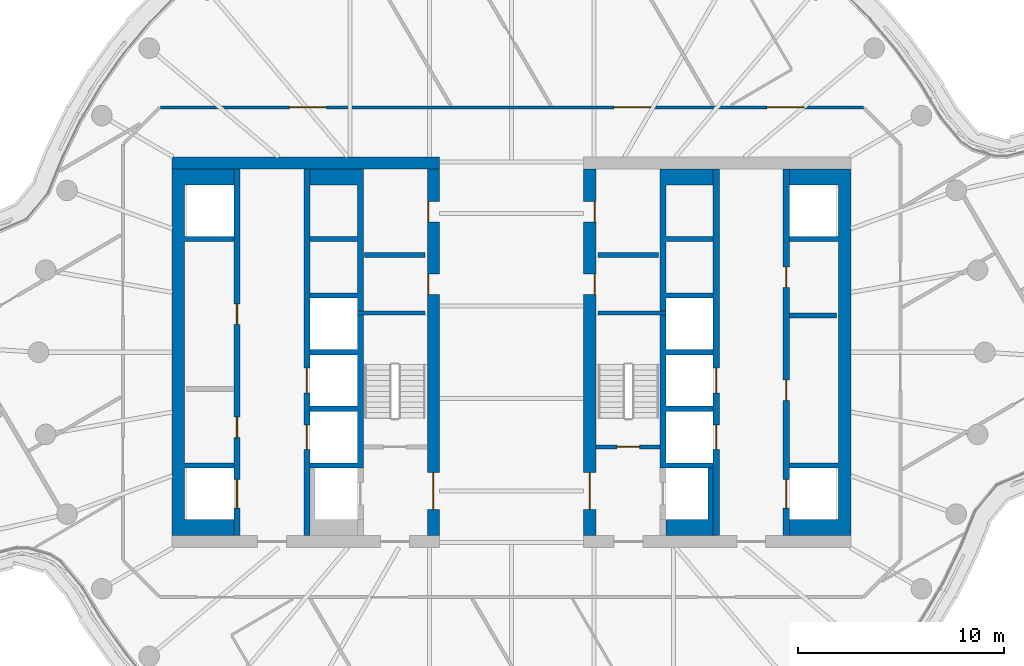
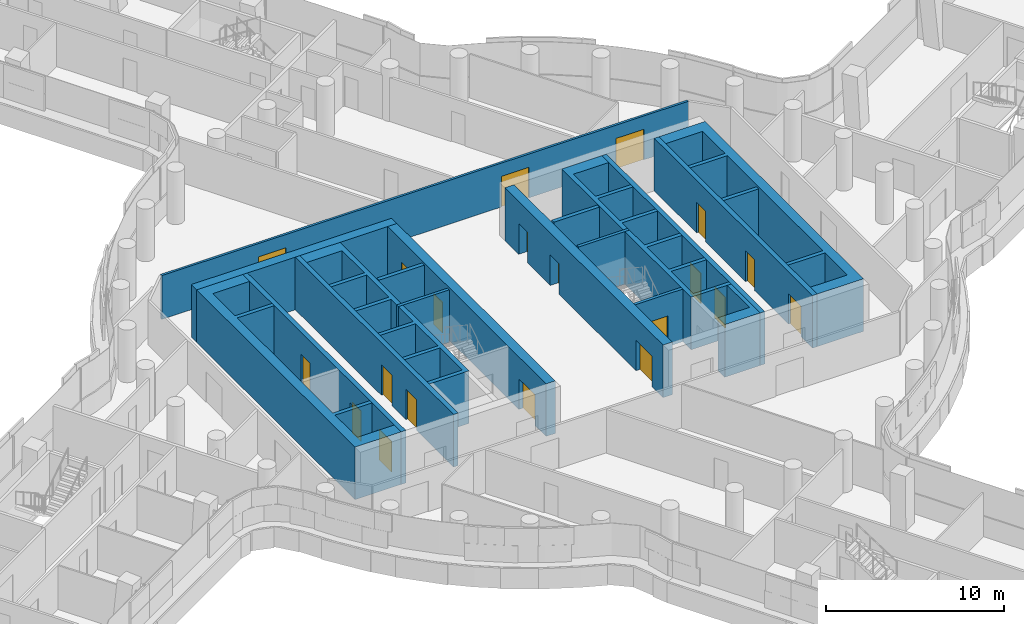
# One storey, part 23 of 35: 20 doors, 19 walls, 20 openings.
"""IFC4 building model written with IfcOpenShell, lengths in metres."""

from ifc_helpers import new_model, si_unit, direction, frame, frame_2d, origin, place, context, subcontext, project, spatial, polyline, rectangle, outline, extrude, material, layer, layer_set, type_object, element, fill, save


model = new_model("IFC4")

# Units and contexts
model_context = context("Model", 3, precision=1e-05, world=origin(), true_north=direction((0.0, 1.0)))
body_context = subcontext(model_context, "Body", "Model", "MODEL_VIEW")
ifc_project = project(units=[si_unit("LENGTHUNIT", "METRE"), si_unit("AREAUNIT", "SQUARE_METRE"), si_unit("VOLUMEUNIT", "CUBIC_METRE"), si_unit("PLANEANGLEUNIT", "RADIAN"), si_unit("MASSUNIT", "GRAM", prefix="KILO")], contexts=[model_context])

# Site, building, storey
site_placement = place(None, origin())
site = spatial("IfcSite", under=ifc_project, at=site_placement, CompositionType="ELEMENT")
building_placement = place(site_placement, origin())
building = spatial("IfcBuilding", under=site, at=building_placement, Name="Tamarind Cross Interchange Tower", CompositionType="ELEMENT")
storey_placement = place(building_placement, frame((0.0, 0.0, 144.25)))
storey = spatial("IfcBuildingStorey", under=building, at=storey_placement, Name="L35", CompositionType="ELEMENT", Elevation=144.25)

# Walls
ifc_material_1 = material(Name="Concrete C60", Category="concrete")
ifc_layer_1 = layer(ifc_material_1, 0.60009765625)
ifc_layer_set_1 = layer_set([ifc_layer_1], Name="Concrete C60")
wall_type_1 = type_object("IfcWallType", Name="Core wall 600 mm Concrete C60", PredefinedType="SHEAR", material=ifc_layer_set_1)
wall_1_placement = place(storey_placement, origin())
element("IfcWall", 1, at=wall_1_placement, inside=storey, type_object=wall_type_1, Name="Core wall CWL-L35-W-A", PredefinedType="SHEAR", context=body_context, shape_type="SweptSolid", body=[
    extrude(outline(polyline([(-13.5, -8.125), (-15.89990234375, -8.125), (-15.89990234375, -5.625), (-13.5, -5.625), (-13.5, -5.375), (-15.89990234375, -5.375), (-15.89990234375, 5.375), (-13.5, 5.375), (-13.5, 5.625), (-15.89990234375, 5.625), (-15.89990234375, 8.125), (-13.5, 8.125), (-13.5, 8.89990234375), (-15.89990234375, 8.89990234375), (-16.5, 8.89990234375), (-16.5, -8.89990234375), (-15.89990234375, -8.89990234375), (-13.5, -8.89990234375), (-13.5, -8.125)])), origin(), (0.0, 0.0, 1.0), 3.610107421875),
])
wall_2_placement = place(storey_placement, frame((-16.5, 9.199951171875, 0.0), z_axis=(0.0, 0.0, 1.0), x_axis=(1.0, 0.0, 0.0)))
element("IfcWall", 2, at=wall_2_placement, inside=storey, type_object=wall_type_1, Name="Core wall CWL-L35-W-NE", PredefinedType="SHEAR", context=body_context, shape_type="SweptSolid", body=[
    extrude(rectangle(XDim=13.0, YDim=0.60009765625, at=frame_2d((6.5, 0.0))), origin(), (0.0, 0.0, 1.0), 3.610107421875),
])

# Wall, openings, doors
wall_3_placement = place(storey_placement, frame((-3.800048828125, -8.89990234375, 0.0), z_axis=(0.0, 0.0, 1.0), x_axis=(0.0, 1.0, 0.0)))
wall_3 = element("IfcWall", 3, at=wall_3_placement, inside=storey, type_object=wall_type_1, Name="Core wall CWL-L35-W-IN", PredefinedType="SHEAR", context=body_context, shape_type="SweptSolid", body=[
    extrude(rectangle(XDim=17.7998046875, YDim=0.60009765625, at=frame_2d((8.89990234375, 0.0))), origin(), (0.0, 0.0, 1.0), 3.610107421875),
])
opening_1_placement = place(wall_3_placement, frame((1.25, 0.0, 0.0)))
opening_1 = element("IfcOpeningElement", 4, at=opening_1_placement, cuts=wall_3, Name="Opening DCW4", PredefinedType="OPENING", context=body_context, shape_type="SweptSolid", body=[
    extrude(rectangle(XDim=1.800048828125, YDim=2.10009765625, at=frame_2d((0.89990234375, 1.050048828125))), frame((0.0, 0.31005859375, 0.0), z_axis=(0.0, -1.0, 0.0), x_axis=(1.0, 0.0, 0.0)), (0.0, 0.0, 1.0), 0.6201171875),
])
opening_2_placement = place(wall_3_placement, frame((11.697509765625, 0.0, 0.0)))
opening_2 = element("IfcOpeningElement", 5, at=opening_2_placement, cuts=wall_3, Name="Opening DCW5", PredefinedType="OPENING", context=body_context, shape_type="SweptSolid", body=[
    extrude(rectangle(XDim=1.0, YDim=2.10009765625, at=frame_2d((0.5, 1.050048828125))), frame((0.0, 0.31005859375, 0.0), z_axis=(0.0, -1.0, 0.0), x_axis=(1.0, 0.0, 0.0)), (0.0, 0.0, 1.0), 0.6201171875),
])
opening_3_placement = place(wall_3_placement, frame((15.222412109375, 0.0, 0.0)))
opening_3 = element("IfcOpeningElement", 6, at=opening_3_placement, cuts=wall_3, Name="Opening DCW5", PredefinedType="OPENING", context=body_context, shape_type="SweptSolid", body=[
    extrude(rectangle(XDim=1.0, YDim=2.10009765625, at=frame_2d((0.5, 1.050048828125))), frame((0.0, 0.31005859375, 0.0), z_axis=(0.0, -1.0, 0.0), x_axis=(1.0, 0.0, 0.0)), (0.0, 0.0, 1.0), 0.6201171875),
])
ifc_material_2 = material(Name="Steel, fire-resisting", Category="steel")
door_type_1 = type_object("IfcDoorType", Name="Core fire door 1000 x 2100 FD90", OperationType="SINGLE_SWING_LEFT", PredefinedType="DOOR", material=ifc_material_2)
door_1_placement = place(opening_2_placement, origin())
door_1 = element("IfcDoor", 7, at=door_1_placement, inside=storey, type_object=door_type_1, Name="L35 comms room door", OperationType="SINGLE_SWING_LEFT", OverallHeight=2.10009765625, OverallWidth=1.0, PredefinedType="DOOR", context=body_context, shape_type="SweptSolid", body=[
    extrude(rectangle(XDim=1.0, YDim=2.10009765625, at=frame_2d((0.5, 1.050048828125))), frame((0.0, 0.27490234375, 0.0), z_axis=(0.0, -1.0, 0.0), x_axis=(1.0, 0.0, 0.0)), (0.0, 0.0, 1.0), 0.050048828125),
])
fill(opening_2, door_1)
door_2_placement = place(opening_3_placement, origin())
door_2 = element("IfcDoor", 8, at=door_2_placement, inside=storey, type_object=door_type_1, Name="L35 cleaner's store door", OperationType="SINGLE_SWING_LEFT", OverallHeight=2.10009765625, OverallWidth=1.0, PredefinedType="DOOR", context=body_context, shape_type="SweptSolid", body=[
    extrude(rectangle(XDim=1.0, YDim=2.10009765625, at=frame_2d((0.5, 1.050048828125))), frame((0.0, 0.27490234375, 0.0), z_axis=(0.0, -1.0, 0.0), x_axis=(1.0, 0.0, 0.0)), (0.0, 0.0, 1.0), 0.050048828125),
])
fill(opening_3, door_2)
door_type_2 = type_object("IfcDoorType", Name="Core fire door 1800 x 2100 FD90", OperationType="SINGLE_SWING_LEFT", PredefinedType="DOOR", material=ifc_material_2)
door_3_placement = place(opening_1_placement, origin())
door_3 = element("IfcDoor", 9, at=door_3_placement, inside=storey, type_object=door_type_2, Name="L35 firefighting lobby door", OperationType="SINGLE_SWING_LEFT", OverallHeight=2.10009765625, OverallWidth=1.800048828125, PredefinedType="DOOR", context=body_context, shape_type="SweptSolid", body=[
    extrude(rectangle(XDim=1.800048828125, YDim=2.10009765625, at=frame_2d((0.89990234375, 1.050048828125))), frame((0.0, 0.02490234375, 0.0), z_axis=(0.0, -1.0, 0.0), x_axis=(1.0, 0.0, 0.0)), (0.0, 0.0, 1.0), 0.050048828125),
])
fill(opening_1, door_3)

# Wall
wall_4_placement = place(storey_placement, origin())
element("IfcWall", 10, at=wall_4_placement, inside=storey, type_object=wall_type_1, Name="Core wall CWL-L35-E-A", PredefinedType="SHEAR", context=body_context, shape_type="SweptSolid", body=[
    extrude(outline(polyline([(13.5, -8.125), (13.5, -8.89990234375), (15.89990234375, -8.89990234375), (16.5, -8.89990234375), (16.5, 8.89990234375), (15.89990234375, 8.89990234375), (13.5, 8.89990234375), (13.5, 8.125), (15.89990234375, 8.125), (15.89990234375, 5.625), (13.5, 5.625), (13.5, 5.375), (15.89990234375, 5.375), (15.89990234375, -5.375), (13.5, -5.375), (13.5, -5.625), (15.89990234375, -5.625), (15.89990234375, -8.125), (13.5, -8.125)])), origin(), (0.0, 0.0, 1.0), 3.610107421875),
])

# Wall, openings, doors
wall_5_placement = place(storey_placement, frame((3.800048828125, -8.89990234375, 0.0), z_axis=(0.0, 0.0, 1.0), x_axis=(0.0, 1.0, 0.0)))
wall_5 = element("IfcWall", 11, at=wall_5_placement, inside=storey, type_object=wall_type_1, Name="Core wall CWL-L35-E-IN", PredefinedType="SHEAR", context=body_context, shape_type="SweptSolid", body=[
    extrude(rectangle(XDim=17.7998046875, YDim=0.60009765625, at=frame_2d((8.89990234375, 0.0))), origin(), (0.0, 0.0, 1.0), 3.610107421875),
])
opening_4_placement = place(wall_5_placement, frame((1.25, 0.0, 0.0)))
opening_4 = element("IfcOpeningElement", 12, at=opening_4_placement, cuts=wall_5, Name="Opening DCE4", PredefinedType="OPENING", context=body_context, shape_type="SweptSolid", body=[
    extrude(rectangle(XDim=1.800048828125, YDim=2.10009765625, at=frame_2d((0.89990234375, 1.050048828125))), frame((0.0, 0.31005859375, 0.0), z_axis=(0.0, -1.0, 0.0), x_axis=(1.0, 0.0, 0.0)), (0.0, 0.0, 1.0), 0.6201171875),
])
opening_5_placement = place(wall_5_placement, frame((11.697509765625, 0.0, 0.0)))
opening_5 = element("IfcOpeningElement", 13, at=opening_5_placement, cuts=wall_5, Name="Opening DCE5", PredefinedType="OPENING", context=body_context, shape_type="SweptSolid", body=[
    extrude(rectangle(XDim=1.0, YDim=2.10009765625, at=frame_2d((0.5, 1.050048828125))), frame((0.0, 0.31005859375, 0.0), z_axis=(0.0, -1.0, 0.0), x_axis=(1.0, 0.0, 0.0)), (0.0, 0.0, 1.0), 0.6201171875),
])
opening_6_placement = place(wall_5_placement, frame((15.222412109375, 0.0, 0.0)))
opening_6 = element("IfcOpeningElement", 14, at=opening_6_placement, cuts=wall_5, Name="Opening DCE5", PredefinedType="OPENING", context=body_context, shape_type="SweptSolid", body=[
    extrude(rectangle(XDim=1.0, YDim=2.10009765625, at=frame_2d((0.5, 1.050048828125))), frame((0.0, 0.31005859375, 0.0), z_axis=(0.0, -1.0, 0.0), x_axis=(1.0, 0.0, 0.0)), (0.0, 0.0, 1.0), 0.6201171875),
])
door_4_placement = place(opening_5_placement, origin())
door_4 = element("IfcDoor", 15, at=door_4_placement, inside=storey, type_object=door_type_1, Name="L35 comms room door", OperationType="SINGLE_SWING_LEFT", OverallHeight=2.10009765625, OverallWidth=1.0, PredefinedType="DOOR", context=body_context, shape_type="SweptSolid", body=[
    extrude(rectangle(XDim=1.0, YDim=2.10009765625, at=frame_2d((0.5, 1.050048828125))), frame((0.0, -0.22509765625, 0.0), z_axis=(0.0, -1.0, 0.0), x_axis=(1.0, 0.0, 0.0)), (0.0, 0.0, 1.0), 0.050048828125),
])
fill(opening_5, door_4)
door_5_placement = place(opening_6_placement, origin())
door_5 = element("IfcDoor", 16, at=door_5_placement, inside=storey, type_object=door_type_1, Name="L35 cleaner's store door", OperationType="SINGLE_SWING_LEFT", OverallHeight=2.10009765625, OverallWidth=1.0, PredefinedType="DOOR", context=body_context, shape_type="SweptSolid", body=[
    extrude(rectangle(XDim=1.0, YDim=2.10009765625, at=frame_2d((0.5, 1.050048828125))), frame((0.0, -0.22509765625, 0.0), z_axis=(0.0, -1.0, 0.0), x_axis=(1.0, 0.0, 0.0)), (0.0, 0.0, 1.0), 0.050048828125),
])
fill(opening_6, door_5)
door_6_placement = place(opening_4_placement, origin())
door_6 = element("IfcDoor", 17, at=door_6_placement, inside=storey, type_object=door_type_2, Name="L35 firefighting lobby door", OperationType="SINGLE_SWING_LEFT", OverallHeight=2.10009765625, OverallWidth=1.800048828125, PredefinedType="DOOR", context=body_context, shape_type="SweptSolid", body=[
    extrude(rectangle(XDim=1.800048828125, YDim=2.10009765625, at=frame_2d((0.89990234375, 1.050048828125))), frame((0.0, 0.02490234375, 0.0), z_axis=(0.0, -1.0, 0.0), x_axis=(1.0, 0.0, 0.0)), (0.0, 0.0, 1.0), 0.050048828125),
])
fill(opening_4, door_6)

# Walls
ifc_layer_2 = layer(ifc_material_1, 0.199951171875)
ifc_layer_set_2 = layer_set([ifc_layer_2], Name="Concrete C60")
wall_type_2 = type_object("IfcWallType", Name="Core web wall 200 mm Concrete C60", PredefinedType="SHEAR", material=ifc_layer_set_2)
for number, where, z_axis, x_axis, name in (
    (18, (-7.5, 1.89990234375, 0.0), (0.0, 0.0, 1.0), (1.0, 0.0, 0.0), "Core wall CWL-L35-W-BD"),
    (19, (7.5, 1.89990234375, 0.0), (0.0, 0.0, 1.0), (-1.0, 0.0, 0.0), "Core wall CWL-L35-E-BD"),
):
    element("IfcWall", number, at=place(storey_placement, frame(where, z_axis=z_axis, x_axis=x_axis)), inside=storey, type_object=wall_type_2, Name=name, PredefinedType="SHEAR", context=body_context, shape_type="SweptSolid", body=[
        extrude(rectangle(XDim=3.300048828125, YDim=0.199951171875, at=frame_2d((1.64990234375, 0.0))), origin(), (0.0, 0.0, 1.0), 3.610107421875),
    ])
ifc_layer_3 = layer(ifc_material_1, 0.300048828125)
ifc_layer_set_3 = layer_set([ifc_layer_3], Name="Concrete C60")
wall_type_3 = type_object("IfcWallType", Name="Core web wall 300 mm Concrete C60", PredefinedType="SHEAR", material=ifc_layer_set_3)
wall_6_placement = place(storey_placement, origin())
element("IfcWall", 20, at=wall_6_placement, inside=storey, type_object=wall_type_3, Name="Core wall CWL-L35-W-BN", PredefinedType="SHEAR", context=body_context, shape_type="SweptSolid", body=[
    extrude(outline(polyline([(-9.800048828125, -5.375), (-9.800048828125, -5.625), (-7.5, -5.625), (-7.199951171875, -5.625), (-7.199951171875, 8.89990234375), (-7.5, 8.89990234375), (-9.800048828125, 8.89990234375), (-9.800048828125, 8.125), (-7.5, 8.125), (-7.5, 5.625), (-9.800048828125, 5.625), (-9.800048828125, 5.375), (-7.5, 5.375), (-7.5, 2.875), (-9.800048828125, 2.875), (-9.800048828125, 2.625), (-7.5, 2.625), (-7.5, 0.125), (-9.800048828125, 0.125), (-9.800048828125, -0.125), (-7.5, -0.125), (-7.5, -2.625), (-9.800048828125, -2.625), (-9.800048828125, -2.875), (-7.5, -2.875), (-7.5, -5.375), (-9.800048828125, -5.375)])), origin(), (0.0, 0.0, 1.0), 3.610107421875),
])

# Wall, openings, doors
wall_7_placement = place(storey_placement, frame((-13.35009765625, -8.89990234375, 0.0), z_axis=(0.0, 0.0, 1.0), x_axis=(0.0, 1.0, 0.0)))
wall_7 = element("IfcWall", 21, at=wall_7_placement, inside=storey, type_object=wall_type_3, Name="Core wall CWL-L35-W-LA", PredefinedType="SHEAR", context=body_context, shape_type="SweptSolid", body=[
    extrude(rectangle(XDim=17.7998046875, YDim=0.300048828125, at=frame_2d((8.89990234375, 0.0))), origin(), (0.0, 0.0, 1.0), 3.610107421875),
])
opening_7_placement = place(wall_7_placement, frame((1.324951171875, 0.0, 0.0)))
opening_7 = element("IfcOpeningElement", 22, at=opening_7_placement, cuts=wall_7, Name="Opening LD1L35", PredefinedType="OPENING", context=body_context, shape_type="SweptSolid", body=[
    extrude(rectangle(XDim=1.39990234375, YDim=2.10009765625, at=frame_2d((0.699951171875, 1.050048828125))), frame((0.0, 0.159912109375, 0.0), z_axis=(0.0, -1.0, 0.0), x_axis=(1.0, 0.0, 0.0)), (0.0, 0.0, 1.0), 0.320068359375),
])
opening_8_placement = place(wall_7_placement, frame((4.75390625, 0.0, 0.0)))
opening_8 = element("IfcOpeningElement", 23, at=opening_8_placement, cuts=wall_7, Name="Opening DCW9", PredefinedType="OPENING", context=body_context, shape_type="SweptSolid", body=[
    extrude(rectangle(XDim=1.0, YDim=2.10009765625, at=frame_2d((0.5, 1.050048828125))), frame((0.0, 0.159912109375, 0.0), z_axis=(0.0, -1.0, 0.0), x_axis=(1.0, 0.0, 0.0)), (0.0, 0.0, 1.0), 0.320068359375),
])
opening_9_placement = place(wall_7_placement, frame((10.25390625, 0.0, 0.0)))
opening_9 = element("IfcOpeningElement", 24, at=opening_9_placement, cuts=wall_7, Name="Opening DCW10", PredefinedType="OPENING", context=body_context, shape_type="SweptSolid", body=[
    extrude(rectangle(XDim=1.0, YDim=2.10009765625, at=frame_2d((0.5, 1.050048828125))), frame((0.0, 0.159912109375, 0.0), z_axis=(0.0, -1.0, 0.0), x_axis=(1.0, 0.0, 0.0)), (0.0, 0.0, 1.0), 0.320068359375),
])
door_7_placement = place(opening_8_placement, origin())
door_7 = element("IfcDoor", 25, at=door_7_placement, inside=storey, type_object=door_type_1, Name="L35 Print room door", OperationType="SINGLE_SWING_LEFT", OverallHeight=2.10009765625, OverallWidth=1.0, PredefinedType="DOOR", context=body_context, shape_type="SweptSolid", body=[
    extrude(rectangle(XDim=1.0, YDim=2.10009765625, at=frame_2d((0.5, 1.050048828125))), frame((0.0, 0.02490234375, 0.0), z_axis=(0.0, -1.0, 0.0), x_axis=(1.0, 0.0, 0.0)), (0.0, 0.0, 1.0), 0.050048828125),
])
fill(opening_8, door_7)
door_8_placement = place(opening_9_placement, origin())
door_8 = element("IfcDoor", 26, at=door_8_placement, inside=storey, type_object=door_type_1, Name="L35 IT room door", OperationType="SINGLE_SWING_LEFT", OverallHeight=2.10009765625, OverallWidth=1.0, PredefinedType="DOOR", context=body_context, shape_type="SweptSolid", body=[
    extrude(rectangle(XDim=1.0, YDim=2.10009765625, at=frame_2d((0.5, 1.050048828125))), frame((0.0, 0.02490234375, 0.0), z_axis=(0.0, -1.0, 0.0), x_axis=(1.0, 0.0, 0.0)), (0.0, 0.0, 1.0), 0.050048828125),
])
fill(opening_9, door_8)
ifc_material_3 = material(Name="Stainless steel panel", Category="steel")
door_type_3 = type_object("IfcDoorType", Name="Lift landing door 1400 x 2100 E 120", OperationType="SLIDING_TO_LEFT", PredefinedType="DOOR", material=ifc_material_3)
door_9_placement = place(opening_7_placement, origin())
door_9 = element("IfcDoor", 27, at=door_9_placement, inside=storey, type_object=door_type_3, Name="L35 landing door LF1", OperationType="SLIDING_TO_LEFT", OverallHeight=2.10009765625, OverallWidth=1.39990234375, PredefinedType="DOOR", context=body_context, shape_type="SweptSolid", body=[
    extrude(rectangle(XDim=1.39990234375, YDim=2.10009765625, at=frame_2d((0.699951171875, 1.050048828125))), frame((0.0, 0.02490234375, 0.0), z_axis=(0.0, -1.0, 0.0), x_axis=(1.0, 0.0, 0.0)), (0.0, 0.0, 1.0), 0.050048828125),
])
fill(opening_7, door_9)

wall_8_placement = place(storey_placement, frame((-9.949951171875, -8.89990234375, 0.0), z_axis=(0.0, 0.0, 1.0), x_axis=(0.0, 1.0, 0.0)))
wall_8 = element("IfcWall", 28, at=wall_8_placement, inside=storey, type_object=wall_type_3, Name="Core wall CWL-L35-W-LB", PredefinedType="SHEAR", context=body_context, shape_type="SweptSolid", body=[
    extrude(rectangle(XDim=17.7998046875, YDim=0.300048828125, at=frame_2d((8.89990234375, 0.0))), origin(), (0.0, 0.0, 1.0), 3.610107421875),
])
opening_10_placement = place(wall_8_placement, frame((4.175048828125, 0.0, 0.0)))
opening_10 = element("IfcOpeningElement", 29, at=opening_10_placement, cuts=wall_8, Name="Opening LD8L35", PredefinedType="OPENING", context=body_context, shape_type="SweptSolid", body=[
    extrude(rectangle(XDim=1.199951171875, YDim=2.10009765625, at=frame_2d((0.60009765625, 1.050048828125))), frame((0.0, 0.159912109375, 0.0), z_axis=(0.0, -1.0, 0.0), x_axis=(1.0, 0.0, 0.0)), (0.0, 0.0, 1.0), 0.320068359375),
])
opening_11_placement = place(wall_8_placement, frame((6.925048828125, 0.0, 0.0)))
opening_11 = element("IfcOpeningElement", 30, at=opening_11_placement, cuts=wall_8, Name="Opening LD9L35", PredefinedType="OPENING", context=body_context, shape_type="SweptSolid", body=[
    extrude(rectangle(XDim=1.199951171875, YDim=2.10009765625, at=frame_2d((0.60009765625, 1.050048828125))), frame((0.0, 0.159912109375, 0.0), z_axis=(0.0, -1.0, 0.0), x_axis=(1.0, 0.0, 0.0)), (0.0, 0.0, 1.0), 0.320068359375),
])
door_type_4 = type_object("IfcDoorType", Name="Lift landing door 1200 x 2100 E 120", OperationType="SLIDING_TO_LEFT", PredefinedType="DOOR", material=ifc_material_3)
door_10_placement = place(opening_10_placement, origin())
door_10 = element("IfcDoor", 31, at=door_10_placement, inside=storey, type_object=door_type_4, Name="L35 landing door LF8", OperationType="SLIDING_TO_LEFT", OverallHeight=2.10009765625, OverallWidth=1.199951171875, PredefinedType="DOOR", context=body_context, shape_type="SweptSolid", body=[
    extrude(rectangle(XDim=1.199951171875, YDim=2.10009765625, at=frame_2d((0.60009765625, 1.050048828125))), frame((0.0, 0.02490234375, 0.0), z_axis=(0.0, -1.0, 0.0), x_axis=(1.0, 0.0, 0.0)), (0.0, 0.0, 1.0), 0.050048828125),
])
fill(opening_10, door_10)
door_11_placement = place(opening_11_placement, origin())
door_11 = element("IfcDoor", 32, at=door_11_placement, inside=storey, type_object=door_type_4, Name="L35 landing door LF9", OperationType="SLIDING_TO_LEFT", OverallHeight=2.10009765625, OverallWidth=1.199951171875, PredefinedType="DOOR", context=body_context, shape_type="SweptSolid", body=[
    extrude(rectangle(XDim=1.199951171875, YDim=2.10009765625, at=frame_2d((0.60009765625, 1.050048828125))), frame((0.0, 0.02490234375, 0.0), z_axis=(0.0, -1.0, 0.0), x_axis=(1.0, 0.0, 0.0)), (0.0, 0.0, 1.0), 0.050048828125),
])
fill(opening_11, door_11)

# Walls
wall_9_placement = place(storey_placement, origin())
element("IfcWall", 33, at=wall_9_placement, inside=storey, type_object=wall_type_3, Name="Core wall CWL-L35-E-BN", PredefinedType="SHEAR", context=body_context, shape_type="SweptSolid", body=[
    extrude(outline(polyline([(9.800048828125, -5.375), (7.5, -5.375), (7.5, -2.875), (9.800048828125, -2.875), (9.800048828125, -2.625), (7.5, -2.625), (7.5, -0.125), (9.800048828125, -0.125), (9.800048828125, 0.125), (7.5, 0.125), (7.5, 2.625), (9.800048828125, 2.625), (9.800048828125, 2.875), (7.5, 2.875), (7.5, 5.375), (9.800048828125, 5.375), (9.800048828125, 5.625), (7.5, 5.625), (7.5, 8.125), (9.800048828125, 8.125), (9.800048828125, 8.89990234375), (7.5, 8.89990234375), (7.199951171875, 8.89990234375), (7.199951171875, -5.625), (7.5, -5.625), (9.800048828125, -5.625), (9.800048828125, -5.375)])), origin(), (0.0, 0.0, 1.0), 3.610107421875),
])
wall_10_placement = place(storey_placement, origin())
element("IfcWall", 34, at=wall_10_placement, inside=storey, type_object=wall_type_3, Name="Core wall CWL-L35-E-BS", PredefinedType="SHEAR", context=body_context, shape_type="SweptSolid", body=[
    extrude(outline(polyline([(7.5, -8.125), (7.5, -8.89990234375), (9.800048828125, -8.89990234375), (9.800048828125, -8.125), (9.800048828125, -5.625), (9.550048828125, -5.625), (9.550048828125, -8.125), (7.5, -8.125)])), origin(), (0.0, 0.0, 1.0), 3.610107421875),
])

# Wall, openings, doors
wall_11_placement = place(storey_placement, frame((13.35009765625, -8.89990234375, 0.0), z_axis=(0.0, 0.0, 1.0), x_axis=(0.0, 1.0, 0.0)))
wall_11 = element("IfcWall", 35, at=wall_11_placement, inside=storey, type_object=wall_type_3, Name="Core wall CWL-L35-E-LA", PredefinedType="SHEAR", context=body_context, shape_type="SweptSolid", body=[
    extrude(rectangle(XDim=17.7998046875, YDim=0.300048828125, at=frame_2d((8.89990234375, 0.0))), origin(), (0.0, 0.0, 1.0), 3.610107421875),
])
opening_12_placement = place(wall_11_placement, frame((1.324951171875, 0.0, 0.0)))
opening_12 = element("IfcOpeningElement", 36, at=opening_12_placement, cuts=wall_11, Name="Opening LD13L35", PredefinedType="OPENING", context=body_context, shape_type="SweptSolid", body=[
    extrude(rectangle(XDim=1.39990234375, YDim=2.10009765625, at=frame_2d((0.699951171875, 1.050048828125))), frame((0.0, 0.159912109375, 0.0), z_axis=(0.0, -1.0, 0.0), x_axis=(1.0, 0.0, 0.0)), (0.0, 0.0, 1.0), 0.320068359375),
])
opening_13_placement = place(wall_11_placement, frame((6.5458984375, 0.0, 0.0)))
opening_13 = element("IfcOpeningElement", 37, at=opening_13_placement, cuts=wall_11, Name="Opening DCE9", PredefinedType="OPENING", context=body_context, shape_type="SweptSolid", body=[
    extrude(rectangle(XDim=1.0, YDim=2.10009765625, at=frame_2d((0.5, 1.050048828125))), frame((0.0, 0.159912109375, 0.0), z_axis=(0.0, -1.0, 0.0), x_axis=(1.0, 0.0, 0.0)), (0.0, 0.0, 1.0), 0.320068359375),
])
opening_14_placement = place(wall_11_placement, frame((12.0458984375, 0.0, 0.0)))
opening_14 = element("IfcOpeningElement", 38, at=opening_14_placement, cuts=wall_11, Name="Opening DCE10", PredefinedType="OPENING", context=body_context, shape_type="SweptSolid", body=[
    extrude(rectangle(XDim=1.0, YDim=2.10009765625, at=frame_2d((0.5, 1.050048828125))), frame((0.0, 0.159912109375, 0.0), z_axis=(0.0, -1.0, 0.0), x_axis=(1.0, 0.0, 0.0)), (0.0, 0.0, 1.0), 0.320068359375),
])
door_12_placement = place(opening_13_placement, origin())
door_12 = element("IfcDoor", 39, at=door_12_placement, inside=storey, type_object=door_type_1, Name="L35 IT room door", OperationType="SINGLE_SWING_LEFT", OverallHeight=2.10009765625, OverallWidth=1.0, PredefinedType="DOOR", context=body_context, shape_type="SweptSolid", body=[
    extrude(rectangle(XDim=1.0, YDim=2.10009765625, at=frame_2d((0.5, 1.050048828125))), frame((0.0, 0.02490234375, 0.0), z_axis=(0.0, -1.0, 0.0), x_axis=(1.0, 0.0, 0.0)), (0.0, 0.0, 1.0), 0.050048828125),
])
fill(opening_13, door_12)
door_13_placement = place(opening_14_placement, origin())
door_13 = element("IfcDoor", 40, at=door_13_placement, inside=storey, type_object=door_type_1, Name="L35 Cable room door", OperationType="SINGLE_SWING_LEFT", OverallHeight=2.10009765625, OverallWidth=1.0, PredefinedType="DOOR", context=body_context, shape_type="SweptSolid", body=[
    extrude(rectangle(XDim=1.0, YDim=2.10009765625, at=frame_2d((0.5, 1.050048828125))), frame((0.0, 0.02490234375, 0.0), z_axis=(0.0, -1.0, 0.0), x_axis=(1.0, 0.0, 0.0)), (0.0, 0.0, 1.0), 0.050048828125),
])
fill(opening_14, door_13)
door_14_placement = place(opening_12_placement, origin())
door_14 = element("IfcDoor", 41, at=door_14_placement, inside=storey, type_object=door_type_3, Name="L35 landing door LF13", OperationType="SLIDING_TO_LEFT", OverallHeight=2.10009765625, OverallWidth=1.39990234375, PredefinedType="DOOR", context=body_context, shape_type="SweptSolid", body=[
    extrude(rectangle(XDim=1.39990234375, YDim=2.10009765625, at=frame_2d((0.699951171875, 1.050048828125))), frame((0.0, 0.02490234375, 0.0), z_axis=(0.0, -1.0, 0.0), x_axis=(1.0, 0.0, 0.0)), (0.0, 0.0, 1.0), 0.050048828125),
])
fill(opening_12, door_14)

wall_12_placement = place(storey_placement, frame((9.949951171875, -8.89990234375, 0.0), z_axis=(0.0, 0.0, 1.0), x_axis=(0.0, 1.0, 0.0)))
wall_12 = element("IfcWall", 42, at=wall_12_placement, inside=storey, type_object=wall_type_3, Name="Core wall CWL-L35-E-LB", PredefinedType="SHEAR", context=body_context, shape_type="SweptSolid", body=[
    extrude(rectangle(XDim=17.7998046875, YDim=0.300048828125, at=frame_2d((8.89990234375, 0.0))), origin(), (0.0, 0.0, 1.0), 3.610107421875),
])
opening_15_placement = place(wall_12_placement, frame((4.175048828125, 0.0, 0.0)))
opening_15 = element("IfcOpeningElement", 43, at=opening_15_placement, cuts=wall_12, Name="Opening LD20L35", PredefinedType="OPENING", context=body_context, shape_type="SweptSolid", body=[
    extrude(rectangle(XDim=1.199951171875, YDim=2.10009765625, at=frame_2d((0.60009765625, 1.050048828125))), frame((0.0, 0.159912109375, 0.0), z_axis=(0.0, -1.0, 0.0), x_axis=(1.0, 0.0, 0.0)), (0.0, 0.0, 1.0), 0.320068359375),
])
opening_16_placement = place(wall_12_placement, frame((6.925048828125, 0.0, 0.0)))
opening_16 = element("IfcOpeningElement", 44, at=opening_16_placement, cuts=wall_12, Name="Opening LD21L35", PredefinedType="OPENING", context=body_context, shape_type="SweptSolid", body=[
    extrude(rectangle(XDim=1.199951171875, YDim=2.10009765625, at=frame_2d((0.60009765625, 1.050048828125))), frame((0.0, 0.159912109375, 0.0), z_axis=(0.0, -1.0, 0.0), x_axis=(1.0, 0.0, 0.0)), (0.0, 0.0, 1.0), 0.320068359375),
])
door_15_placement = place(opening_15_placement, origin())
door_15 = element("IfcDoor", 45, at=door_15_placement, inside=storey, type_object=door_type_4, Name="L35 landing door LF20", OperationType="SLIDING_TO_LEFT", OverallHeight=2.10009765625, OverallWidth=1.199951171875, PredefinedType="DOOR", context=body_context, shape_type="SweptSolid", body=[
    extrude(rectangle(XDim=1.199951171875, YDim=2.10009765625, at=frame_2d((0.60009765625, 1.050048828125))), frame((0.0, 0.02490234375, 0.0), z_axis=(0.0, -1.0, 0.0), x_axis=(1.0, 0.0, 0.0)), (0.0, 0.0, 1.0), 0.050048828125),
])
fill(opening_15, door_15)
door_16_placement = place(opening_16_placement, origin())
door_16 = element("IfcDoor", 46, at=door_16_placement, inside=storey, type_object=door_type_4, Name="L35 landing door LF21", OperationType="SLIDING_TO_LEFT", OverallHeight=2.10009765625, OverallWidth=1.199951171875, PredefinedType="DOOR", context=body_context, shape_type="SweptSolid", body=[
    extrude(rectangle(XDim=1.199951171875, YDim=2.10009765625, at=frame_2d((0.60009765625, 1.050048828125))), frame((0.0, 0.02490234375, 0.0), z_axis=(0.0, -1.0, 0.0), x_axis=(1.0, 0.0, 0.0)), (0.0, 0.0, 1.0), 0.050048828125),
])
fill(opening_16, door_16)

ifc_material_4 = material(Name="Gypsum board partition on steel studs", Category="steel")
ifc_layer_4 = layer(ifc_material_4, 0.14990234375)
ifc_layer_set_4 = layer_set([ifc_layer_4], Name="Gypsum board partition on steel studs")
wall_type_4 = type_object("IfcWallType", Name="Partition 150 mm EI 120", PredefinedType="PARTITIONING", material=ifc_layer_set_4)
wall_13_placement = place(storey_placement, frame((-17.06494140625, 11.89990234375, 0.0), z_axis=(0.0, 0.0, 1.0), x_axis=(1.0, 0.0, 0.0)))
wall_13 = element("IfcWall", 47, at=wall_13_placement, inside=storey, type_object=wall_type_4, Name="Partition L35-037", PredefinedType="PARTITIONING", context=body_context, shape_type="SweptSolid", body=[
    extrude(rectangle(XDim=34.1650390625, YDim=0.14990234375, at=frame_2d((17.08251953125, 0.0))), origin(), (0.0, 0.0, 1.0), 3.010009765625),
])
opening_17_placement = place(wall_13_placement, frame((22.029052734375, 0.0, 0.0)))
opening_17 = element("IfcOpeningElement", 48, at=opening_17_placement, cuts=wall_13, Name="Opening D23", PredefinedType="OPENING", context=body_context, shape_type="SweptSolid", body=[
    extrude(rectangle(XDim=1.800048828125, YDim=2.10009765625, at=frame_2d((0.89990234375, 1.050048828125))), frame((0.0, 0.0849609375, 0.0), z_axis=(0.0, -1.0, 0.0), x_axis=(1.0, 0.0, 0.0)), (0.0, 0.0, 1.0), 0.169921875),
])
opening_18_placement = place(wall_13_placement, frame((29.47998046875, 0.0, 0.0)))
opening_18 = element("IfcOpeningElement", 49, at=opening_18_placement, cuts=wall_13, Name="Opening D24", PredefinedType="OPENING", context=body_context, shape_type="SweptSolid", body=[
    extrude(rectangle(XDim=1.800048828125, YDim=2.10009765625, at=frame_2d((0.89990234375, 1.050048828125))), frame((0.0, 0.0849609375, 0.0), z_axis=(0.0, -1.0, 0.0), x_axis=(1.0, 0.0, 0.0)), (0.0, 0.0, 1.0), 0.169921875),
])
opening_19_placement = place(wall_13_placement, frame((6.264892578125, 0.0, 0.0)))
opening_19 = element("IfcOpeningElement", 50, at=opening_19_placement, cuts=wall_13, Name="Opening D25", PredefinedType="OPENING", context=body_context, shape_type="SweptSolid", body=[
    extrude(rectangle(XDim=1.800048828125, YDim=2.10009765625, at=frame_2d((0.89990234375, 1.050048828125))), frame((0.0, 0.0849609375, 0.0), z_axis=(0.0, -1.0, 0.0), x_axis=(1.0, 0.0, 0.0)), (0.0, 0.0, 1.0), 0.169921875),
])
ifc_material_5 = material(Name="Fire-resisting door set")
door_type_5 = type_object("IfcDoorType", Name="Interior door 1800 x 2100 FD60S", OperationType="DOUBLE_DOOR_SINGLE_SWING", PredefinedType="DOOR", material=ifc_material_5)
door_17_placement = place(opening_17_placement, frame((1.800048828125, 0.0, 0.0), z_axis=(0.0, 0.0, 1.0), x_axis=(-1.0, 0.0, 0.0)))
door_17 = element("IfcDoor", 51, at=door_17_placement, inside=storey, type_object=door_type_5, Name="Door D23", OperationType="DOUBLE_DOOR_SINGLE_SWING", OverallHeight=2.10009765625, OverallWidth=1.800048828125, PredefinedType="DOOR", context=body_context, shape_type="SweptSolid", body=[
    extrude(rectangle(XDim=1.800048828125, YDim=2.10009765625, at=frame_2d((0.89990234375, 1.050048828125))), frame((0.0, 0.02490234375, 0.0), z_axis=(0.0, -1.0, 0.0), x_axis=(1.0, 0.0, 0.0)), (0.0, 0.0, 1.0), 0.050048828125),
])
fill(opening_17, door_17)
door_18_placement = place(opening_18_placement, origin())
door_18 = element("IfcDoor", 52, at=door_18_placement, inside=storey, type_object=door_type_5, Name="Door D24", OperationType="DOUBLE_DOOR_SINGLE_SWING", OverallHeight=2.10009765625, OverallWidth=1.800048828125, PredefinedType="DOOR", context=body_context, shape_type="SweptSolid", body=[
    extrude(rectangle(XDim=1.800048828125, YDim=2.10009765625, at=frame_2d((0.89990234375, 1.050048828125))), frame((0.0, 0.02490234375, 0.0), z_axis=(0.0, -1.0, 0.0), x_axis=(1.0, 0.0, 0.0)), (0.0, 0.0, 1.0), 0.050048828125),
])
fill(opening_18, door_18)
door_19_placement = place(opening_19_placement, origin())
door_19 = element("IfcDoor", 53, at=door_19_placement, inside=storey, type_object=door_type_5, Name="Door D25", OperationType="DOUBLE_DOOR_SINGLE_SWING", OverallHeight=2.10009765625, OverallWidth=1.800048828125, PredefinedType="DOOR", context=body_context, shape_type="SweptSolid", body=[
    extrude(rectangle(XDim=1.800048828125, YDim=2.10009765625, at=frame_2d((0.89990234375, 1.050048828125))), frame((0.0, 0.02490234375, 0.0), z_axis=(0.0, -1.0, 0.0), x_axis=(1.0, 0.0, 0.0)), (0.0, 0.0, 1.0), 0.050048828125),
])
fill(opening_19, door_19)

# Walls
ifc_material_6 = material(Name="Concrete C40", Category="concrete")
ifc_layer_5 = layer(ifc_material_6, 0.25)
ifc_layer_set_5 = layer_set([ifc_layer_5], Name="Concrete C40")
wall_type_5 = type_object("IfcWallType", Name="Shaft and lobby wall 250 mm Concrete C40", PredefinedType="PARTITIONING", material=ifc_layer_set_5)
for number, where, z_axis, x_axis, name in (
    (54, (-7.14990234375, 4.719970703125, 0.0), (0.0, 0.0, 1.0), (1.0, 0.0, 0.0), "Shaft wall CWL-L35-W-SVP"),
    (55, (7.14990234375, 4.719970703125, 0.0), (0.0, 0.0, 1.0), (-1.0, 0.0, 0.0), "Shaft wall CWL-L35-E-SVP"),
):
    element("IfcWall", number, at=place(storey_placement, frame(where, z_axis=z_axis, x_axis=x_axis)), inside=storey, type_object=wall_type_5, Name=name, PredefinedType="PARTITIONING", context=body_context, shape_type="SweptSolid", body=[
        extrude(rectangle(XDim=2.949951171875, YDim=0.25, at=frame_2d((1.47509765625, 0.0))), origin(), (0.0, 0.0, 1.0), 3.610107421875),
    ])
wall_14_placement = place(storey_placement, frame((15.800048828125, 1.7919921875, 0.0), z_axis=(0.0, 0.0, 1.0), x_axis=(-1.0, 0.0, 0.0)))
element("IfcWall", 56, at=wall_14_placement, inside=storey, type_object=wall_type_5, Name="Shaft wall CWL-L35-E-FPA1", PredefinedType="PARTITIONING", context=body_context, shape_type="SweptSolid", body=[
    extrude(rectangle(XDim=2.300048828125, YDim=0.25, at=frame_2d((1.14990234375, 0.0))), origin(), (0.0, 0.0, 1.0), 3.610107421875),
])

# Wall, opening, door
ifc_layer_6 = layer(ifc_material_6, 0.199951171875)
ifc_layer_set_6 = layer_set([ifc_layer_6], Name="Concrete C40")
wall_type_6 = type_object("IfcWallType", Name="Stair shaft wall 200 mm Concrete C40", PredefinedType="SHEAR", material=ifc_layer_set_6)
wall_15_placement = place(storey_placement, frame((7.199951171875, -4.60009765625, 0.0), z_axis=(0.0, 0.0, 1.0), x_axis=(-1.0, 0.0, 0.0)))
wall_15 = element("IfcWall", 57, at=wall_15_placement, inside=storey, type_object=wall_type_6, Name="Core wall CWL-L35-E-SD", PredefinedType="SHEAR", context=body_context, shape_type="SweptSolid", body=[
    extrude(rectangle(XDim=3.099853515625, YDim=0.199951171875, at=frame_2d((1.5498046875, 0.0))), origin(), (0.0, 0.0, 1.0), 3.610107421875),
])
opening_20_placement = place(wall_15_placement, frame((0.97509765625, 0.0, 0.0)))
opening_20 = element("IfcOpeningElement", 58, at=opening_20_placement, cuts=wall_15, Name="Opening DCE6", PredefinedType="OPENING", context=body_context, shape_type="SweptSolid", body=[
    extrude(rectangle(XDim=1.10009765625, YDim=2.10009765625, at=frame_2d((0.550048828125, 1.050048828125))), frame((0.0, 0.10986328125, 0.0), z_axis=(0.0, -1.0, 0.0), x_axis=(1.0, 0.0, 0.0)), (0.0, 0.0, 1.0), 0.219970703125),
])
door_type_6 = type_object("IfcDoorType", Name="Core fire door 1100 x 2100 FD90", OperationType="SINGLE_SWING_LEFT", PredefinedType="DOOR", material=ifc_material_2)
door_20_placement = place(opening_20_placement, origin())
door_20 = element("IfcDoor", 59, at=door_20_placement, inside=storey, type_object=door_type_6, Name="L35 stair door", OperationType="SINGLE_SWING_LEFT", OverallHeight=2.10009765625, OverallWidth=1.10009765625, PredefinedType="DOOR", context=body_context, shape_type="SweptSolid", body=[
    extrude(rectangle(XDim=1.10009765625, YDim=2.10009765625, at=frame_2d((0.550048828125, 1.050048828125))), frame((0.0, 0.02490234375, 0.0), z_axis=(0.0, -1.0, 0.0), x_axis=(1.0, 0.0, 0.0)), (0.0, 0.0, 1.0), 0.050048828125),
])
fill(opening_20, door_20)

save(model, "model.ifc")
